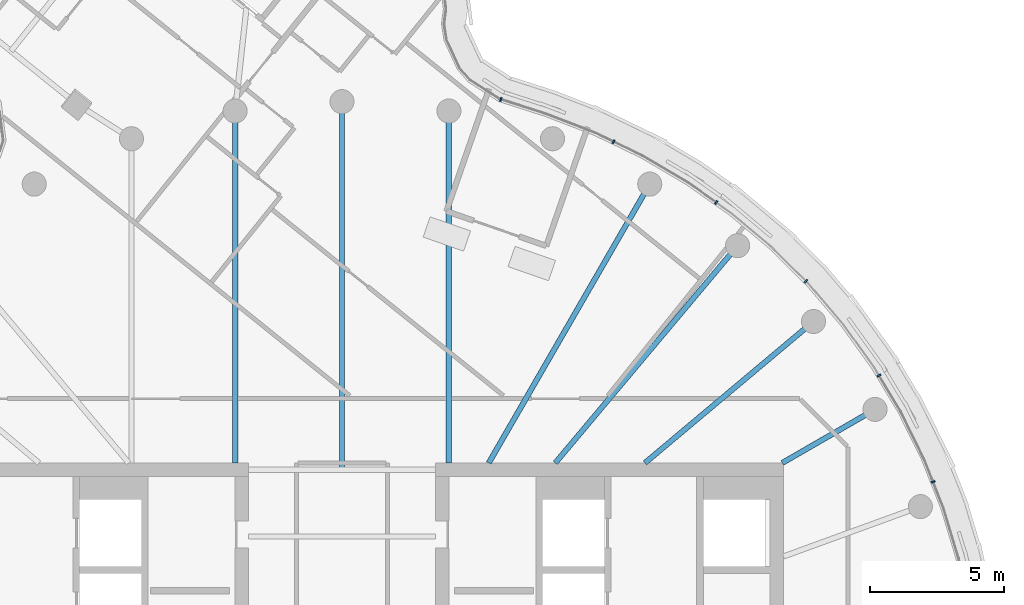
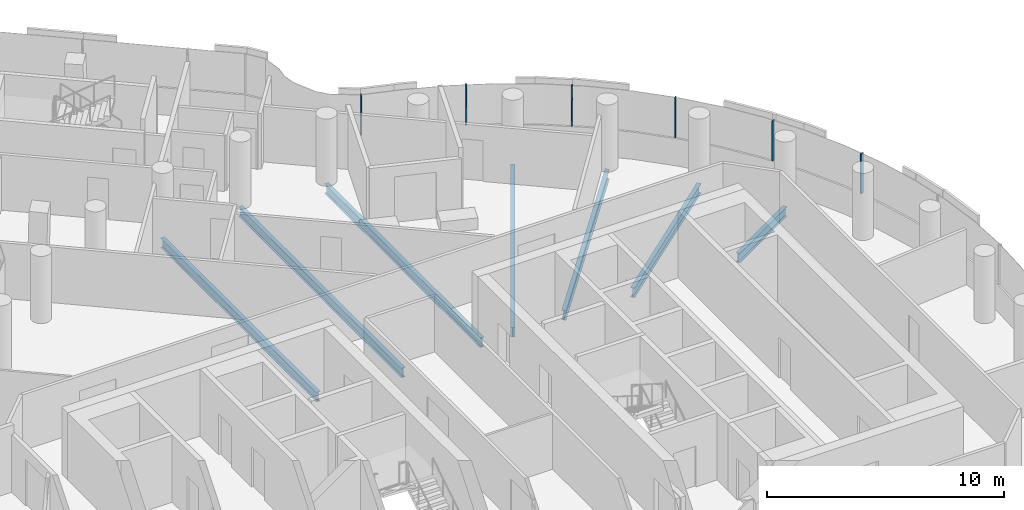
# One storey, part 11 of 25: 7 beams, 6 members, 1 element without a shape of its own.
"""IFC4 building model written with IfcOpenShell, lengths in metres."""

from ifc_helpers import new_model, si_unit, direction, frame, origin, origin_2d, place, context, subcontext, project, spatial, rectangle, i_section, extrude, material, layer, layer_set, material_profile, profile_set, type_object, element, aggregate, save


model = new_model("IFC4")

# Units and contexts
model_context = context("Model", 3, precision=1e-05, world=origin(), true_north=direction((0.0, 1.0)))
body_context = subcontext(model_context, "Body", "Model", "MODEL_VIEW")
ifc_project = project(units=[si_unit("LENGTHUNIT", "METRE"), si_unit("AREAUNIT", "SQUARE_METRE"), si_unit("VOLUMEUNIT", "CUBIC_METRE"), si_unit("PLANEANGLEUNIT", "RADIAN"), si_unit("MASSUNIT", "GRAM", prefix="KILO")], contexts=[model_context])

# Site, building, storey
site_placement = place(None, origin())
site = spatial("IfcSite", under=ifc_project, at=site_placement, CompositionType="ELEMENT")
building_placement = place(site_placement, origin())
building = spatial("IfcBuilding", under=site, at=building_placement, Name="Tamarind Cross Interchange Tower", CompositionType="ELEMENT")
storey_placement = place(building_placement, frame((0.0, 0.0, 219.89990234375)))
storey = spatial("IfcBuildingStorey", under=building, at=storey_placement, Name="L55", CompositionType="ELEMENT", Elevation=219.89990234375)

# Beams
ifc_material_1 = material(Name="Steel Q355B", Category="steel")
ifc_material_profile_1 = material_profile(ifc_material_1, i_section(OverallWidth=0.198974609375, OverallDepth=0.49609375, WebThickness=0.009033203125, FlangeThickness=0.013916015625, FilletRadius=0.012939453125, at=origin_2d()), Name="HN 496x199x9x14")
ifc_profile_set_1 = profile_set([ifc_material_profile_1], Name="Steel Q355B")
beam_type = type_object("IfcBeamType", Name="Composite beam HN 496x199x9x14 Q355B", PredefinedType="BEAM", material=ifc_profile_set_1)
beam_1_placement = place(storey_placement, frame((19.918701171875, 11.5, -0.387939453125), z_axis=(-0.866026010844, -0.49999894854, 0.0), x_axis=(0.49999894854, -0.866026010844, 0.0)))
element("IfcBeam", 1, at=beam_1_placement, inside=storey, type_object=beam_type, Name="Beam HH03", PredefinedType="BEAM", context=body_context, shape_type="SweptSolid", body=[
    extrude(i_section(OverallWidth=0.198974609375, OverallDepth=0.49609375, WebThickness=0.009033203125, FlangeThickness=0.013916015625, FilletRadius=0.012939453125, at=origin_2d()), origin(), (0.0, 0.0, 1.0), 4.0),
])
beam_2_placement = place(storey_placement, frame((17.619140625, 14.7841796875, -0.387939453125), z_axis=(-0.766040580814, -0.642792212574, 0.0), x_axis=(0.642792212574, -0.766040580814, 0.0)))
element("IfcBeam", 2, at=beam_2_placement, inside=storey, type_object=beam_type, Name="Beam HH04", PredefinedType="BEAM", context=body_context, shape_type="SweptSolid", body=[
    extrude(i_section(OverallWidth=0.198974609375, OverallDepth=0.49609375, WebThickness=0.009033203125, FlangeThickness=0.013916015625, FilletRadius=0.012939453125, at=origin_2d()), origin(), (0.0, 0.0, 1.0), 8.220703125),
])
beam_3_placement = place(storey_placement, frame((14.7841796875, 17.619140625, -0.387939453125), z_axis=(-0.642786293979, -0.766045547127, 0.0), x_axis=(0.766045547127, -0.642786293979, 0.0)))
element("IfcBeam", 3, at=beam_3_placement, inside=storey, type_object=beam_type, Name="Beam HH05", PredefinedType="BEAM", context=body_context, shape_type="SweptSolid", body=[
    extrude(i_section(OverallWidth=0.198974609375, OverallDepth=0.49609375, WebThickness=0.009033203125, FlangeThickness=0.013916015625, FilletRadius=0.012939453125, at=origin_2d()), origin(), (0.0, 0.0, 1.0), 10.598876953125),
])
beam_4_placement = place(storey_placement, frame((11.5, 19.918701171875, -0.387939453125), z_axis=(-0.499993565836, -0.866029118519, 0.0), x_axis=(0.866029118519, -0.499993565836, 0.0)))
element("IfcBeam", 4, at=beam_4_placement, inside=storey, type_object=beam_type, Name="Beam HH06", PredefinedType="BEAM", context=body_context, shape_type="SweptSolid", body=[
    extrude(i_section(OverallWidth=0.198974609375, OverallDepth=0.49609375, WebThickness=0.009033203125, FlangeThickness=0.013916015625, FilletRadius=0.012939453125, at=origin_2d()), origin(), (0.0, 0.0, 1.0), 12.030517578125),
])
beam_5_placement = place(storey_placement, frame((3.993896484375, 22.650634765625, -0.387939453125), z_axis=(0.0, -1.0, 0.0), x_axis=(1.0, 0.0, 0.0)))
element("IfcBeam", 5, at=beam_5_placement, inside=storey, type_object=beam_type, Name="Beam HH08", PredefinedType="BEAM", context=body_context, shape_type="SweptSolid", body=[
    extrude(i_section(OverallWidth=0.198974609375, OverallDepth=0.49609375, WebThickness=0.009033203125, FlangeThickness=0.013916015625, FilletRadius=0.012939453125, at=origin_2d()), origin(), (0.0, 0.0, 1.0), 13.150634765625),
])
beam_6_placement = place(storey_placement, frame((0.0, 23.0, -0.387939453125), z_axis=(0.0, -1.0, 0.0), x_axis=(1.0, 0.0, 0.0)))
element("IfcBeam", 6, at=beam_6_placement, inside=storey, type_object=beam_type, Name="Beam HH09", PredefinedType="BEAM", context=body_context, shape_type="SweptSolid", body=[
    extrude(i_section(OverallWidth=0.198974609375, OverallDepth=0.49609375, WebThickness=0.009033203125, FlangeThickness=0.013916015625, FilletRadius=0.012939453125, at=origin_2d()), origin(), (0.0, 0.0, 1.0), 13.75),
])
beam_7_placement = place(storey_placement, frame((-3.993896484375, 22.650634765625, -0.387939453125), z_axis=(0.0, -1.0, 0.0), x_axis=(1.0, 0.0, 0.0)))
element("IfcBeam", 7, at=beam_7_placement, inside=storey, type_object=beam_type, Name="Beam HH10", PredefinedType="BEAM", context=body_context, shape_type="SweptSolid", body=[
    extrude(i_section(OverallWidth=0.198974609375, OverallDepth=0.49609375, WebThickness=0.009033203125, FlangeThickness=0.013916015625, FilletRadius=0.012939453125, at=origin_2d()), origin(), (0.0, 0.0, 1.0), 13.150634765625),
])

# Curtain wall, members
ifc_material_2 = material(Name="Aluminium 6063-T6", Category="aluminium")
ifc_layer = layer(ifc_material_2, 0.14990234375)
ifc_layer_set = layer_set([ifc_layer], Name="Aluminium 6063-T6")
curtain_wall_type = type_object("IfcCurtainWallType", Name="Winter garden and crown curtain wall", PredefinedType="NOTDEFINED", material=ifc_layer_set)
curtain_wall_placement = place(storey_placement, origin())
curtain_wall = element("IfcCurtainWall", 8, at=curtain_wall_placement, inside=storey, type_object=curtain_wall_type, Name="CWS-L55-02", PredefinedType="NOTDEFINED")
ifc_material_profile_2 = material_profile(ifc_material_2, rectangle(XDim=0.06005859375, YDim=0.14990234375, at=origin_2d()), Name="Mullion CW6")
ifc_profile_set_2 = profile_set([ifc_material_profile_2], Name="Aluminium 6063-T6")
member_type = type_object("IfcMemberType", Name="Mullion CW6", PredefinedType="MULLION", material=ifc_profile_set_2)
member_1_placement = place(storey_placement, frame((22.090087890625, 8.79248046875, 1.400146484375), z_axis=(0.0, 0.0, 1.0), x_axis=(-0.367513773146, 0.930018078613, 0.0)))
member_1 = element("IfcMember", 9, at=member_1_placement, type_object=member_type, Name="CWM-L55-02-16", PredefinedType="MULLION", context=body_context, shape_type="SweptSolid", body=[
    extrude(rectangle(XDim=0.06005859375, YDim=0.14990234375, at=origin_2d()), origin(), (0.0, 0.0, 1.0), 2.06005859375),
])
member_2_placement = place(storey_placement, frame((20.06640625, 12.765625, 1.400146484375), z_axis=(0.0, 0.0, 1.0), x_axis=(-0.515577308909, 0.856843065292, 0.0)))
member_2 = element("IfcMember", 10, at=member_2_placement, type_object=member_type, Name="CWM-L55-02-17", PredefinedType="MULLION", context=body_context, shape_type="SweptSolid", body=[
    extrude(rectangle(XDim=0.06005859375, YDim=0.14990234375, at=origin_2d()), origin(), (0.0, 0.0, 1.0), 2.06005859375),
])
member_3_placement = place(storey_placement, frame((17.336669921875, 16.291748046875, 1.400146484375), z_axis=(0.0, 0.0, 1.0), x_axis=(-0.710143317658, 0.704057148523, 0.0)))
member_3 = element("IfcMember", 11, at=member_3_placement, type_object=member_type, Name="CWM-L55-02-18", PredefinedType="MULLION", context=body_context, shape_type="SweptSolid", body=[
    extrude(rectangle(XDim=0.06005859375, YDim=0.14990234375, at=origin_2d()), origin(), (0.0, 0.0, 1.0), 2.06005859375),
])
member_4_placement = place(storey_placement, frame((13.983154296875, 19.231201171875, 1.400146484375), z_axis=(0.0, 0.0, 1.0), x_axis=(-0.816341886298, 0.577568978284, 0.0)))
member_4 = element("IfcMember", 12, at=member_4_placement, type_object=member_type, Name="CWM-L55-02-19", PredefinedType="MULLION", context=body_context, shape_type="SweptSolid", body=[
    extrude(rectangle(XDim=0.06005859375, YDim=0.14990234375, at=origin_2d()), origin(), (0.0, 0.0, 1.0), 2.06005859375),
])
member_5_placement = place(storey_placement, frame((10.146484375, 21.5029296875, 1.400146484375), z_axis=(0.0, 0.0, 1.0), x_axis=(-0.900272776334, 0.435326231914, 0.0)))
member_5 = element("IfcMember", 13, at=member_5_placement, type_object=member_type, Name="CWM-L55-02-20", PredefinedType="MULLION", context=body_context, shape_type="SweptSolid", body=[
    extrude(rectangle(XDim=0.06005859375, YDim=0.14990234375, at=origin_2d()), origin(), (0.0, 0.0, 1.0), 2.06005859375),
])
member_6_placement = place(storey_placement, frame((5.934814453125, 23.084716796875, 1.400146484375), z_axis=(0.0, 0.0, 1.0), x_axis=(-0.951959313024, 0.306224535834, 0.0)))
member_6 = element("IfcMember", 14, at=member_6_placement, type_object=member_type, Name="CWM-L55-02-21", PredefinedType="MULLION", context=body_context, shape_type="SweptSolid", body=[
    extrude(rectangle(XDim=0.06005859375, YDim=0.14990234375, at=origin_2d()), origin(), (0.0, 0.0, 1.0), 2.06005859375),
])
aggregate(curtain_wall, [member_1, member_2, member_3, member_4, member_5, member_6])

save(model, "model.ifc")
